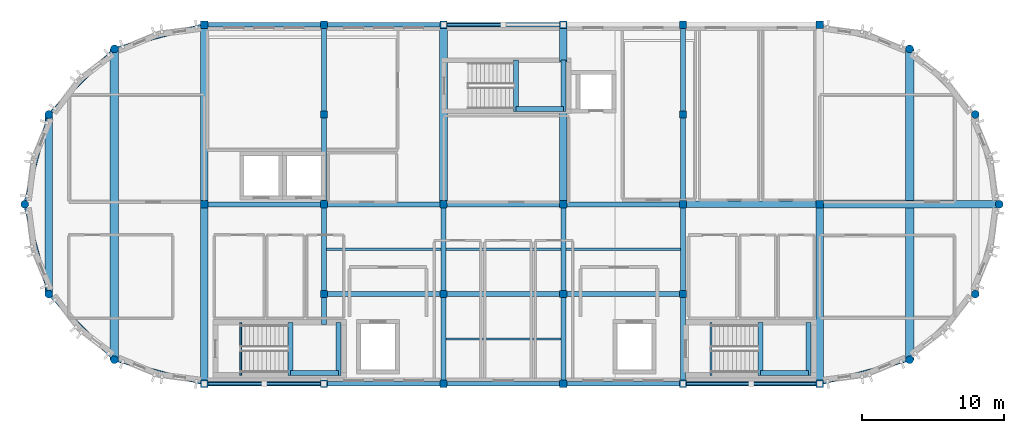
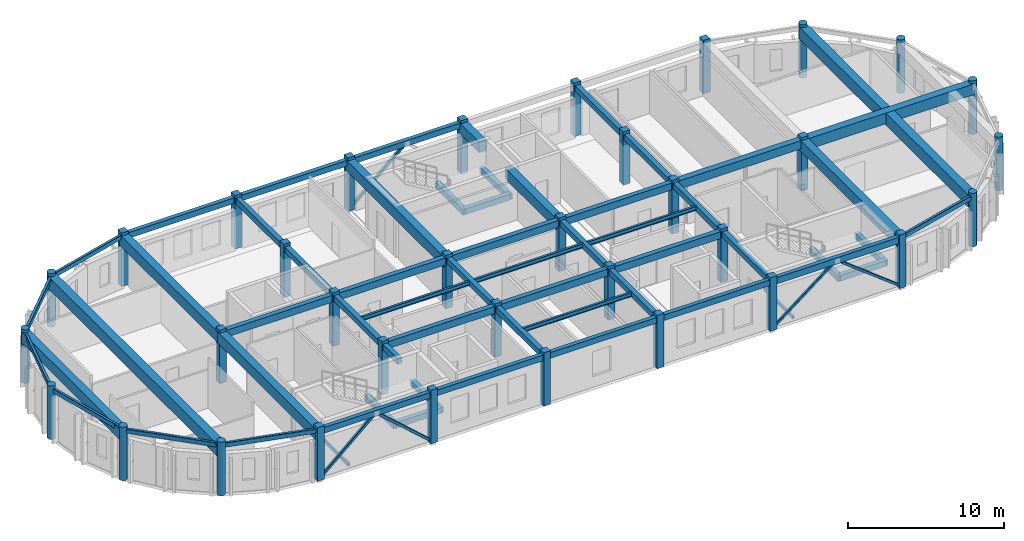
# One storey, part 1 of 11: 58 beams, 34 columns, 7 members.
"""IFC4 building model written with IfcOpenShell, lengths in metres."""

from ifc_helpers import new_model, si_unit, direction, frame, origin, origin_2d, place, context, subcontext, project, spatial, rectangle, hollow_rectangle, circle, i_section, extrude, material, material_profile, profile_set, type_object, element, save


model = new_model("IFC4")

# Units and contexts
model_context = context("Model", 3, precision=1e-05, world=origin(), true_north=direction((0.0, 1.0)))
body_context = subcontext(model_context, "Body", "Model", "MODEL_VIEW")
ifc_project = project(units=[si_unit("LENGTHUNIT", "METRE"), si_unit("AREAUNIT", "SQUARE_METRE"), si_unit("VOLUMEUNIT", "CUBIC_METRE"), si_unit("PLANEANGLEUNIT", "RADIAN"), si_unit("MASSUNIT", "GRAM", prefix="KILO")], contexts=[model_context])

# Site, building, storey
site_placement = place(None, origin())
site = spatial("IfcSite", under=ifc_project, at=site_placement, CompositionType="ELEMENT")
building_placement = place(site_placement, origin())
building = spatial("IfcBuilding", under=site, at=building_placement, Name="Tarnavel Promenade Courthouse", CompositionType="ELEMENT")
storey_placement = place(building_placement, frame((0.0, 0.0, 31.199951171875)))
storey = spatial("IfcBuildingStorey", under=building, at=storey_placement, Name="L08", CompositionType="ELEMENT", Elevation=31.199951171875)

# Columns
ifc_material_1 = material(Name="Concrete C40/50", Category="concrete")
ifc_material_profile_1 = material_profile(ifc_material_1, circle(Radius=0.27490234375, at=origin_2d()), Name="RCC D550")
ifc_profile_set_1 = profile_set([ifc_material_profile_1], Name="Concrete C40/50")
column_type_1 = type_object("IfcColumnType", Name="Concrete C40/50 COL-DRUM-D550 (RCC D550)", PredefinedType="COLUMN", material=ifc_profile_set_1)
for number, where, z_axis, x_axis, name in (
    (1, (52.5, 102.7119140625, 0.0), (0.0, 0.0, 1.0), (1.0, 0.0, 0.0), "L08 Structural Column 0237"),
    (2, (108.300048828125, 80.88818359375, 0.0), (0.0, 0.0, 1.0), (1.0, 0.0, 0.0), "L08 Structural Column 0247"),
    (3, (47.88818359375, 98.10009765625, 0.0), (0.0, 0.0, 1.0), (1.0, 0.0, 0.0), "L08 Structural Column 0257"),
    (4, (112.911865234375, 85.5, 0.0), (0.0, 0.0, 1.0), (1.0, 0.0, 0.0), "L08 Structural Column 0267"),
    (5, (46.199951171875, 91.800048828125, 0.0), (0.0, 0.0, 1.0), (1.0, 0.0, 0.0), "L08 Structural Column 0277"),
    (6, (114.60009765625, 91.800048828125, 0.0), (0.0, 0.0, 1.0), (1.0, 0.0, 0.0), "L08 Structural Column 0287"),
    (7, (47.88818359375, 85.5, 0.0), (0.0, 0.0, 1.0), (1.0, 0.0, 0.0), "L08 Structural Column 0297"),
    (8, (112.911865234375, 98.10009765625, 0.0), (0.0, 0.0, 1.0), (1.0, 0.0, 0.0), "L08 Structural Column 0307"),
    (9, (52.5, 80.88818359375, 0.0), (0.0, 0.0, 1.0), (1.0, 0.0, 0.0), "L08 Structural Column 0317"),
    (10, (108.300048828125, 102.7119140625, 0.0), (0.0, 0.0, 1.0), (1.0, 0.0, 0.0), "L08 Structural Column 0327"),
):
    element("IfcColumn", number, at=place(storey_placement, frame(where, z_axis=z_axis, x_axis=x_axis)), inside=storey, type_object=column_type_1, Name=name, PredefinedType="COLUMN", context=body_context, shape_type="SweptSolid", body=[
        extrude(circle(Radius=0.27490234375, at=origin_2d()), origin(), (0.0, 0.0, 1.0), 4.199951171875),
    ])
ifc_material_profile_2 = material_profile(ifc_material_1, rectangle(XDim=0.5, YDim=0.5, at=origin_2d()), Name="RC 500x500")
ifc_profile_set_2 = profile_set([ifc_material_profile_2], Name="Concrete C40/50")
column_type_2 = type_object("IfcColumnType", Name="Concrete C40/50 COL-RC500-TOP (RC 500x500)", PredefinedType="COLUMN", material=ifc_profile_set_2)
for number, where, z_axis, x_axis, name in (
    (11, (58.800048828125, 79.199951171875, 0.0), (0.0, 0.0, 1.0), (1.0, 0.0, 0.0), "L08 Structural Column 0009"),
    (12, (58.800048828125, 91.800048828125, 0.0), (0.0, 0.0, 1.0), (1.0, 0.0, 0.0), "L08 Structural Column 0019"),
    (13, (58.800048828125, 104.39990234375, 0.0), (0.0, 0.0, 1.0), (1.0, 0.0, 0.0), "L08 Structural Column 0029"),
    (14, (67.199951171875, 79.199951171875, 0.0), (0.0, 0.0, 1.0), (1.0, 0.0, 0.0), "L08 Structural Column 0043"),
    (15, (67.199951171875, 91.800048828125, 0.0), (0.0, 0.0, 1.0), (1.0, 0.0, 0.0), "L08 Structural Column 0053"),
    (16, (67.199951171875, 104.39990234375, 0.0), (0.0, 0.0, 1.0), (1.0, 0.0, 0.0), "L08 Structural Column 0063"),
    (17, (67.199951171875, 85.5, 0.0), (0.0, 0.0, 1.0), (1.0, 0.0, 0.0), "L08 Structural Column 0067"),
    (18, (67.199951171875, 98.10009765625, 0.0), (0.0, 0.0, 1.0), (1.0, 0.0, 0.0), "L08 Structural Column 0071"),
    (19, (75.60009765625, 79.199951171875, 0.0), (0.0, 0.0, 1.0), (1.0, 0.0, 0.0), "L08 Structural Column 0085"),
    (20, (75.60009765625, 91.800048828125, 0.0), (0.0, 0.0, 1.0), (1.0, 0.0, 0.0), "L08 Structural Column 0095"),
    (21, (75.60009765625, 104.39990234375, 0.0), (0.0, 0.0, 1.0), (1.0, 0.0, 0.0), "L08 Structural Column 0105"),
    (22, (75.60009765625, 85.5, 0.0), (0.0, 0.0, 1.0), (1.0, 0.0, 0.0), "L08 Structural Column 0109"),
    (23, (84.0, 79.199951171875, 0.0), (0.0, 0.0, 1.0), (1.0, 0.0, 0.0), "L08 Structural Column 0123"),
    (24, (84.0, 91.800048828125, 0.0), (0.0, 0.0, 1.0), (1.0, 0.0, 0.0), "L08 Structural Column 0133"),
    (25, (84.0, 104.39990234375, 0.0), (0.0, 0.0, 1.0), (1.0, 0.0, 0.0), "L08 Structural Column 0143"),
    (26, (84.0, 85.5, 0.0), (0.0, 0.0, 1.0), (1.0, 0.0, 0.0), "L08 Structural Column 0147"),
    (27, (92.39990234375, 79.199951171875, 0.0), (0.0, 0.0, 1.0), (1.0, 0.0, 0.0), "L08 Structural Column 0161"),
    (28, (92.39990234375, 91.800048828125, 0.0), (0.0, 0.0, 1.0), (1.0, 0.0, 0.0), "L08 Structural Column 0171"),
    (29, (92.39990234375, 104.39990234375, 0.0), (0.0, 0.0, 1.0), (1.0, 0.0, 0.0), "L08 Structural Column 0181"),
    (30, (92.39990234375, 85.5, 0.0), (0.0, 0.0, 1.0), (1.0, 0.0, 0.0), "L08 Structural Column 0185"),
    (31, (92.39990234375, 98.10009765625, 0.0), (0.0, 0.0, 1.0), (1.0, 0.0, 0.0), "L08 Structural Column 0189"),
    (32, (102.0, 79.199951171875, 0.0), (0.0, 0.0, 1.0), (1.0, 0.0, 0.0), "L08 Structural Column 0203"),
    (33, (102.0, 91.800048828125, 0.0), (0.0, 0.0, 1.0), (1.0, 0.0, 0.0), "L08 Structural Column 0213"),
    (34, (102.0, 104.39990234375, 0.0), (0.0, 0.0, 1.0), (1.0, 0.0, 0.0), "L08 Structural Column 0223"),
):
    element("IfcColumn", number, at=place(storey_placement, frame(where, z_axis=z_axis, x_axis=x_axis)), inside=storey, type_object=column_type_2, Name=name, PredefinedType="COLUMN", context=body_context, shape_type="SweptSolid", body=[
        extrude(rectangle(XDim=0.5, YDim=0.5, at=origin_2d()), origin(), (0.0, 0.0, 1.0), 4.199951171875),
    ])

# Beams
ifc_material_profile_3 = material_profile(ifc_material_1, rectangle(XDim=0.550048828125, YDim=0.85009765625, at=origin_2d()), Name="PT 550x850")
ifc_profile_set_3 = profile_set([ifc_material_profile_3], Name="Concrete C40/50")
beam_type_1 = type_object("IfcBeamType", Name="Concrete C40/50 BM-PT-550x850 (PT 550x850)", PredefinedType="T_BEAM", material=ifc_profile_set_3)
for number, where, z_axis, x_axis, name in (
    (35, (102.0, 91.800048828125, 3.550048828125), (1.0, 0.0, 0.0), (0.0, 1.0, 0.0), "L08 Primary Longitudinal Beam 2592"),
    (36, (47.88818359375, 85.5, 3.550048828125), (0.0, 1.0, 0.0), (-1.0, 0.0, 0.0), "L08 Transverse Girder 2598"),
    (37, (58.800048828125, 79.199951171875, 3.550048828125), (0.0, 1.0, 0.0), (-1.0, 0.0, 0.0), "L08 Transverse Girder 2600"),
):
    element("IfcBeam", number, at=place(storey_placement, frame(where, z_axis=z_axis, x_axis=x_axis)), inside=storey, type_object=beam_type_1, Name=name, PredefinedType="T_BEAM", context=body_context, shape_type="SweptSolid", body=[
        extrude(rectangle(XDim=0.550048828125, YDim=0.85009765625, at=origin_2d()), origin(), (0.0, 0.0, 1.0), 12.60009765625),
    ])
for number, where, z_axis, x_axis, name in (
    (38, (58.800048828125, 91.800048828125, 3.550048828125), (0.0, 1.0, 0.0), (-1.0, 0.0, 0.0), "L08 Transverse Girder 2601"),
    (39, (75.60009765625, 91.800048828125, 3.550048828125), (0.0, 1.0, 0.0), (-1.0, 0.0, 0.0), "L08 Transverse Girder 2608"),
):
    element("IfcBeam", number, at=place(storey_placement, frame(where, z_axis=z_axis, x_axis=x_axis)), inside=storey, type_object=beam_type_1, Name=name, PredefinedType="T_BEAM", context=body_context, shape_type="SweptSolid", body=[
        extrude(rectangle(XDim=0.550048828125, YDim=0.85009765625, at=origin_2d()), origin(), (0.0, 0.0, 1.0), 12.599853515625),
    ])
beam_1_placement = place(storey_placement, frame((84.0, 91.800048828125, 3.550048828125), z_axis=(0.0, 1.0, 0.0), x_axis=(-1.0, 0.0, 0.0)))
element("IfcBeam", 40, at=beam_1_placement, inside=storey, type_object=beam_type_1, Name="L08 Transverse Girder 2611", PredefinedType="T_BEAM", context=body_context, shape_type="SweptSolid", body=[
    extrude(rectangle(XDim=0.550048828125, YDim=0.85009765625, at=origin_2d()), origin(), (0.0, 0.0, 1.0), 6.64990234375),
])
beam_2_placement = place(storey_placement, frame((84.0, 101.7900390625, 3.550048828125), z_axis=(0.0, 1.0, 0.0), x_axis=(-1.0, 0.0, 0.0)))
element("IfcBeam", 41, at=beam_2_placement, inside=storey, type_object=beam_type_1, Name="L08 Transverse Girder 2612", PredefinedType="T_BEAM", context=body_context, shape_type="SweptSolid", body=[
    extrude(rectangle(XDim=0.550048828125, YDim=0.85009765625, at=origin_2d()), origin(), (0.0, 0.0, 1.0), 2.60986328125),
])
beam_3_placement = place(storey_placement, frame((102.0, 79.199951171875, 3.550048828125), z_axis=(0.0, 1.0, 0.0), x_axis=(-1.0, 0.0, 0.0)))
element("IfcBeam", 42, at=beam_3_placement, inside=storey, type_object=beam_type_1, Name="L08 Transverse Girder 2617", PredefinedType="T_BEAM", context=body_context, shape_type="SweptSolid", body=[
    extrude(rectangle(XDim=0.550048828125, YDim=0.85009765625, at=origin_2d()), origin(), (0.0, 0.0, 1.0), 12.60009765625),
])
ifc_material_profile_4 = material_profile(ifc_material_1, rectangle(XDim=0.60009765625, YDim=0.949951171875, at=origin_2d()), Name="PT 600x950")
ifc_profile_set_4 = profile_set([ifc_material_profile_4], Name="Concrete C40/50")
beam_type_2 = type_object("IfcBeamType", Name="Concrete C40/50 BM-PT-600x950 (PT 600x950)", PredefinedType="T_BEAM", material=ifc_profile_set_4)
for number, where, z_axis, x_axis, name in (
    (43, (52.5, 80.88818359375, 3.5), (0.0, 1.0, 0.0), (-1.0, 0.0, 0.0), "L08 Transverse Girder 2599"),
    (44, (108.300048828125, 80.88818359375, 3.5), (0.0, 1.0, 0.0), (-1.0, 0.0, 0.0), "L08 Transverse Girder 2619"),
):
    element("IfcBeam", number, at=place(storey_placement, frame(where, z_axis=z_axis, x_axis=x_axis)), inside=storey, type_object=beam_type_2, Name=name, PredefinedType="T_BEAM", context=body_context, shape_type="SweptSolid", body=[
        extrude(rectangle(XDim=0.60009765625, YDim=0.949951171875, at=origin_2d()), origin(), (0.0, 0.0, 1.0), 21.82373046875),
    ])
ifc_material_profile_5 = material_profile(ifc_material_1, rectangle(XDim=0.35009765625, YDim=0.449951171875, at=origin_2d()), Name="RC 350x450")
ifc_profile_set_5 = profile_set([ifc_material_profile_5], Name="Concrete C40/50")
beam_type_3 = type_object("IfcBeamType", Name="Concrete C40/50 BM-RC-350x450 (RC 350x450)", PredefinedType="BEAM", material=ifc_profile_set_5)
beam_4_placement = place(storey_placement, frame((67.199951171875, 83.3701171875, 3.75), z_axis=(0.0, 1.0, 0.0), x_axis=(-1.0, 0.0, 0.0)))
element("IfcBeam", 45, at=beam_4_placement, inside=storey, type_object=beam_type_3, Name="L08 Transverse Girder 2602", PredefinedType="BEAM", context=body_context, shape_type="SweptSolid", body=[
    extrude(rectangle(XDim=0.35009765625, YDim=0.449951171875, at=origin_2d()), origin(), (0.0, 0.0, 1.0), 2.1298828125),
])
for number, where, z_axis, x_axis, name in (
    (46, (67.199951171875, 85.5, 3.75), (0.0, 1.0, 0.0), (-1.0, 0.0, 0.0), "L08 Transverse Girder 2603"),
    (47, (67.199951171875, 91.800048828125, 3.75), (0.0, 1.0, 0.0), (-1.0, 0.0, 0.0), "L08 Transverse Girder 2604"),
):
    element("IfcBeam", number, at=place(storey_placement, frame(where, z_axis=z_axis, x_axis=x_axis)), inside=storey, type_object=beam_type_3, Name=name, PredefinedType="BEAM", context=body_context, shape_type="SweptSolid", body=[
        extrude(rectangle(XDim=0.35009765625, YDim=0.449951171875, at=origin_2d()), origin(), (0.0, 0.0, 1.0), 6.300048828125),
    ])
beam_5_placement = place(storey_placement, frame((67.199951171875, 98.10009765625, 3.75), z_axis=(0.0, 1.0, 0.0), x_axis=(-1.0, 0.0, 0.0)))
element("IfcBeam", 48, at=beam_5_placement, inside=storey, type_object=beam_type_3, Name="L08 Transverse Girder 2605", PredefinedType="BEAM", context=body_context, shape_type="SweptSolid", body=[
    extrude(rectangle(XDim=0.35009765625, YDim=0.449951171875, at=origin_2d()), origin(), (0.0, 0.0, 1.0), 6.2998046875),
])
for number, where, z_axis, x_axis, name in (
    (49, (75.60009765625, 79.199951171875, 3.75), (0.0, 1.0, 0.0), (-1.0, 0.0, 0.0), "L08 Transverse Girder 2606"),
    (50, (75.60009765625, 85.5, 3.75), (0.0, 1.0, 0.0), (-1.0, 0.0, 0.0), "L08 Transverse Girder 2607"),
    (51, (84.0, 79.199951171875, 3.75), (0.0, 1.0, 0.0), (-1.0, 0.0, 0.0), "L08 Transverse Girder 2609"),
    (52, (84.0, 85.5, 3.75), (0.0, 1.0, 0.0), (-1.0, 0.0, 0.0), "L08 Transverse Girder 2610"),
    (53, (92.39990234375, 79.199951171875, 3.75), (0.0, 1.0, 0.0), (-1.0, 0.0, 0.0), "L08 Transverse Girder 2613"),
    (54, (92.39990234375, 85.5, 3.75), (0.0, 1.0, 0.0), (-1.0, 0.0, 0.0), "L08 Transverse Girder 2614"),
    (55, (92.39990234375, 91.800048828125, 3.75), (0.0, 1.0, 0.0), (-1.0, 0.0, 0.0), "L08 Transverse Girder 2615"),
):
    element("IfcBeam", number, at=place(storey_placement, frame(where, z_axis=z_axis, x_axis=x_axis)), inside=storey, type_object=beam_type_3, Name=name, PredefinedType="BEAM", context=body_context, shape_type="SweptSolid", body=[
        extrude(rectangle(XDim=0.35009765625, YDim=0.449951171875, at=origin_2d()), origin(), (0.0, 0.0, 1.0), 6.300048828125),
    ])
beam_6_placement = place(storey_placement, frame((92.39990234375, 98.10009765625, 3.75), z_axis=(0.0, 1.0, 0.0), x_axis=(-1.0, 0.0, 0.0)))
element("IfcBeam", 56, at=beam_6_placement, inside=storey, type_object=beam_type_3, Name="L08 Transverse Girder 2616", PredefinedType="BEAM", context=body_context, shape_type="SweptSolid", body=[
    extrude(rectangle(XDim=0.35009765625, YDim=0.449951171875, at=origin_2d()), origin(), (0.0, 0.0, 1.0), 6.2998046875),
])
for number, where, z_axis, x_axis, name in (
    (57, (64.840087890625, 79.800048828125, 1.670166015625), (0.0, 1.0, 0.0), (-1.0, 0.0, 0.0), "L08 ST-01 Mid-Landing Support Beam Near"),
    (58, (68.219970703125, 79.800048828125, 1.670166015625), (0.0, 1.0, 0.0), (-1.0, 0.0, 0.0), "L08 ST-01 Mid-Landing Support Beam Far"),
):
    element("IfcBeam", number, at=place(storey_placement, frame(where, z_axis=z_axis, x_axis=x_axis)), inside=storey, type_object=beam_type_3, Name=name, PredefinedType="BEAM", context=body_context, shape_type="SweptSolid", body=[
        extrude(rectangle(XDim=0.35009765625, YDim=0.449951171875, at=origin_2d()), origin(), (0.0, 0.0, 1.0), 3.719970703125),
    ])
beam_7_placement = place(storey_placement, frame((64.840087890625, 79.949951171875, 1.670166015625), z_axis=(1.0, 0.0, 0.0), x_axis=(0.0, 1.0, 0.0)))
element("IfcBeam", 59, at=beam_7_placement, inside=storey, type_object=beam_type_3, Name="L08 ST-01 Mid-Landing Edge Trimmer", PredefinedType="BEAM", context=body_context, shape_type="SweptSolid", body=[
    extrude(rectangle(XDim=0.35009765625, YDim=0.449951171875, at=origin_2d()), origin(), (0.0, 0.0, 1.0), 3.3798828125),
])
for number, where, z_axis, x_axis, name in (
    (60, (97.840087890625, 79.800048828125, 1.670166015625), (0.0, 1.0, 0.0), (-1.0, 0.0, 0.0), "L08 ST-02 Mid-Landing Support Beam Near"),
    (61, (101.219970703125, 79.800048828125, 1.670166015625), (0.0, 1.0, 0.0), (-1.0, 0.0, 0.0), "L08 ST-02 Mid-Landing Support Beam Far"),
):
    element("IfcBeam", number, at=place(storey_placement, frame(where, z_axis=z_axis, x_axis=x_axis)), inside=storey, type_object=beam_type_3, Name=name, PredefinedType="BEAM", context=body_context, shape_type="SweptSolid", body=[
        extrude(rectangle(XDim=0.35009765625, YDim=0.449951171875, at=origin_2d()), origin(), (0.0, 0.0, 1.0), 3.719970703125),
    ])
beam_8_placement = place(storey_placement, frame((97.840087890625, 79.949951171875, 1.670166015625), z_axis=(1.0, 0.0, 0.0), x_axis=(0.0, 1.0, 0.0)))
element("IfcBeam", 62, at=beam_8_placement, inside=storey, type_object=beam_type_3, Name="L08 ST-02 Mid-Landing Edge Trimmer", PredefinedType="BEAM", context=body_context, shape_type="SweptSolid", body=[
    extrude(rectangle(XDim=0.35009765625, YDim=0.449951171875, at=origin_2d()), origin(), (0.0, 0.0, 1.0), 3.3798828125),
])
for number, where, z_axis, x_axis, name in (
    (63, (80.68994140625, 98.320068359375, 1.670166015625), (0.0, 1.0, 0.0), (-1.0, 0.0, 0.0), "L08 ST-03 Mid-Landing Support Beam Near"),
    (64, (84.02001953125, 98.320068359375, 1.670166015625), (0.0, 1.0, 0.0), (-1.0, 0.0, 0.0), "L08 ST-03 Mid-Landing Support Beam Far"),
):
    element("IfcBeam", number, at=place(storey_placement, frame(where, z_axis=z_axis, x_axis=x_axis)), inside=storey, type_object=beam_type_3, Name=name, PredefinedType="BEAM", context=body_context, shape_type="SweptSolid", body=[
        extrude(rectangle(XDim=0.35009765625, YDim=0.449951171875, at=origin_2d()), origin(), (0.0, 0.0, 1.0), 3.599853515625),
    ])
beam_9_placement = place(storey_placement, frame((80.68994140625, 98.469970703125, 1.670166015625), z_axis=(1.0, 0.0, 0.0), x_axis=(0.0, 1.0, 0.0)))
element("IfcBeam", 65, at=beam_9_placement, inside=storey, type_object=beam_type_3, Name="L08 ST-03 Mid-Landing Edge Trimmer", PredefinedType="BEAM", context=body_context, shape_type="SweptSolid", body=[
    extrude(rectangle(XDim=0.35009765625, YDim=0.449951171875, at=origin_2d()), origin(), (0.0, 0.0, 1.0), 3.330078125),
])
ifc_material_profile_6 = material_profile(ifc_material_1, rectangle(XDim=0.35009765625, YDim=0.550048828125, at=origin_2d()), Name="RC 350x550")
ifc_profile_set_6 = profile_set([ifc_material_profile_6], Name="Concrete C40/50")
beam_type_4 = type_object("IfcBeamType", Name="Concrete C40/50 BM-RC-350x550 (RC 350x550)", PredefinedType="BEAM", material=ifc_profile_set_6)
beam_10_placement = place(storey_placement, frame((67.199951171875, 85.5, 3.699951171875), z_axis=(1.0, 0.0, 0.0), x_axis=(0.0, 1.0, 0.0)))
element("IfcBeam", 66, at=beam_10_placement, inside=storey, type_object=beam_type_4, Name="L08 Primary Longitudinal Beam 2584", PredefinedType="BEAM", context=body_context, shape_type="SweptSolid", body=[
    extrude(rectangle(XDim=0.35009765625, YDim=0.550048828125, at=origin_2d()), origin(), (0.0, 0.0, 1.0), 8.400146484375),
])
for number, where, z_axis, x_axis, name in (
    (67, (75.60009765625, 85.5, 3.699951171875), (1.0, 0.0, 0.0), (0.0, 1.0, 0.0), "L08 Primary Longitudinal Beam 2585"),
    (68, (84.0, 85.5, 3.699951171875), (1.0, 0.0, 0.0), (0.0, 1.0, 0.0), "L08 Primary Longitudinal Beam 2586"),
    (69, (58.800048828125, 91.800048828125, 3.699951171875), (1.0, 0.0, 0.0), (0.0, 1.0, 0.0), "L08 Primary Longitudinal Beam 2587"),
):
    element("IfcBeam", number, at=place(storey_placement, frame(where, z_axis=z_axis, x_axis=x_axis)), inside=storey, type_object=beam_type_4, Name=name, PredefinedType="BEAM", context=body_context, shape_type="SweptSolid", body=[
        extrude(rectangle(XDim=0.35009765625, YDim=0.550048828125, at=origin_2d()), origin(), (0.0, 0.0, 1.0), 8.39990234375),
    ])
beam_11_placement = place(storey_placement, frame((67.199951171875, 91.800048828125, 3.699951171875), z_axis=(1.0, 0.0, 0.0), x_axis=(0.0, 1.0, 0.0)))
element("IfcBeam", 70, at=beam_11_placement, inside=storey, type_object=beam_type_4, Name="L08 Primary Longitudinal Beam 2588", PredefinedType="BEAM", context=body_context, shape_type="SweptSolid", body=[
    extrude(rectangle(XDim=0.35009765625, YDim=0.550048828125, at=origin_2d()), origin(), (0.0, 0.0, 1.0), 8.400146484375),
])
for number, where, z_axis, x_axis, name in (
    (71, (75.60009765625, 91.800048828125, 3.699951171875), (1.0, 0.0, 0.0), (0.0, 1.0, 0.0), "L08 Primary Longitudinal Beam 2589"),
    (72, (84.0, 91.800048828125, 3.699951171875), (1.0, 0.0, 0.0), (0.0, 1.0, 0.0), "L08 Primary Longitudinal Beam 2590"),
):
    element("IfcBeam", number, at=place(storey_placement, frame(where, z_axis=z_axis, x_axis=x_axis)), inside=storey, type_object=beam_type_4, Name=name, PredefinedType="BEAM", context=body_context, shape_type="SweptSolid", body=[
        extrude(rectangle(XDim=0.35009765625, YDim=0.550048828125, at=origin_2d()), origin(), (0.0, 0.0, 1.0), 8.39990234375),
    ])
ifc_material_profile_7 = material_profile(ifc_material_1, rectangle(XDim=0.449951171875, YDim=0.64990234375, at=origin_2d()), Name="RC 450x650")
ifc_profile_set_7 = profile_set([ifc_material_profile_7], Name="Concrete C40/50")
beam_type_5 = type_object("IfcBeamType", Name="Concrete C40/50 BM-RC-450x650 (RC 450x650)", PredefinedType="T_BEAM", material=ifc_profile_set_7)
beam_12_placement = place(storey_placement, frame((92.39990234375, 91.800048828125, 3.650146484375), z_axis=(1.0, 0.0, 0.0), x_axis=(0.0, 1.0, 0.0)))
element("IfcBeam", 73, at=beam_12_placement, inside=storey, type_object=beam_type_5, Name="L08 Primary Longitudinal Beam 2591", PredefinedType="T_BEAM", context=body_context, shape_type="SweptSolid", body=[
    extrude(rectangle(XDim=0.449951171875, YDim=0.64990234375, at=origin_2d()), origin(), (0.0, 0.0, 1.0), 9.60009765625),
])
ifc_material_profile_8 = material_profile(ifc_material_1, rectangle(XDim=0.300048828125, YDim=0.449951171875, at=origin_2d()), Name="RC 300x450")
ifc_profile_set_8 = profile_set([ifc_material_profile_8], Name="Concrete C40/50")
beam_type_6 = type_object("IfcBeamType", Name="Concrete C40/50 BM-SP-300x450 (RC 300x450)", PredefinedType="SPANDREL", material=ifc_profile_set_8)
beam_13_placement = place(storey_placement, frame((58.800048828125, 79.199951171875, 3.75), z_axis=(1.0, 0.0, 0.0), x_axis=(0.0, 1.0, 0.0)))
element("IfcBeam", 74, at=beam_13_placement, inside=storey, type_object=beam_type_6, Name="L08 Primary Longitudinal Beam 2579", PredefinedType="SPANDREL", context=body_context, shape_type="SweptSolid", body=[
    extrude(rectangle(XDim=0.300048828125, YDim=0.449951171875, at=origin_2d()), origin(), (0.0, 0.0, 1.0), 8.39990234375),
])
beam_14_placement = place(storey_placement, frame((67.199951171875, 79.199951171875, 3.75), z_axis=(1.0, 0.0, 0.0), x_axis=(0.0, 1.0, 0.0)))
element("IfcBeam", 75, at=beam_14_placement, inside=storey, type_object=beam_type_6, Name="L08 Primary Longitudinal Beam 2580", PredefinedType="SPANDREL", context=body_context, shape_type="SweptSolid", body=[
    extrude(rectangle(XDim=0.300048828125, YDim=0.449951171875, at=origin_2d()), origin(), (0.0, 0.0, 1.0), 8.400146484375),
])
for number, where, z_axis, x_axis, name in (
    (76, (75.60009765625, 79.199951171875, 3.75), (1.0, 0.0, 0.0), (0.0, 1.0, 0.0), "L08 Primary Longitudinal Beam 2581"),
    (77, (84.0, 79.199951171875, 3.75), (1.0, 0.0, 0.0), (0.0, 1.0, 0.0), "L08 Primary Longitudinal Beam 2582"),
    (78, (58.800048828125, 104.39990234375, 3.75), (1.0, 0.0, 0.0), (0.0, 1.0, 0.0), "L08 Primary Longitudinal Beam 2593"),
):
    element("IfcBeam", number, at=place(storey_placement, frame(where, z_axis=z_axis, x_axis=x_axis)), inside=storey, type_object=beam_type_6, Name=name, PredefinedType="SPANDREL", context=body_context, shape_type="SweptSolid", body=[
        extrude(rectangle(XDim=0.300048828125, YDim=0.449951171875, at=origin_2d()), origin(), (0.0, 0.0, 1.0), 8.39990234375),
    ])
beam_15_placement = place(storey_placement, frame((67.199951171875, 104.39990234375, 3.75), z_axis=(1.0, 0.0, 0.0), x_axis=(0.0, 1.0, 0.0)))
element("IfcBeam", 79, at=beam_15_placement, inside=storey, type_object=beam_type_6, Name="L08 Primary Longitudinal Beam 2594", PredefinedType="SPANDREL", context=body_context, shape_type="SweptSolid", body=[
    extrude(rectangle(XDim=0.300048828125, YDim=0.449951171875, at=origin_2d()), origin(), (0.0, 0.0, 1.0), 8.400146484375),
])
beam_16_placement = place(storey_placement, frame((75.60009765625, 104.39990234375, 3.75), z_axis=(1.0, 0.0, 0.0), x_axis=(0.0, 1.0, 0.0)))
element("IfcBeam", 80, at=beam_16_placement, inside=storey, type_object=beam_type_6, Name="L08 Primary Longitudinal Beam 2595", PredefinedType="SPANDREL", context=body_context, shape_type="SweptSolid", body=[
    extrude(rectangle(XDim=0.300048828125, YDim=0.449951171875, at=origin_2d()), origin(), (0.0, 0.0, 1.0), 8.39990234375),
])
ifc_material_profile_9 = material_profile(ifc_material_1, rectangle(XDim=0.300048828125, YDim=0.5, at=origin_2d()), Name="RC 300x500")
ifc_profile_set_9 = profile_set([ifc_material_profile_9], Name="Concrete C40/50")
beam_type_7 = type_object("IfcBeamType", Name="Concrete C40/50 BM-SP-300x500 (RC 300x500)", PredefinedType="SPANDREL", material=ifc_profile_set_9)
beam_17_placement = place(storey_placement, frame((92.39990234375, 79.199951171875, 3.72509765625), z_axis=(1.0, 0.0, 0.0), x_axis=(0.0, 1.0, 0.0)))
element("IfcBeam", 81, at=beam_17_placement, inside=storey, type_object=beam_type_7, Name="L08 Primary Longitudinal Beam 2583", PredefinedType="SPANDREL", context=body_context, shape_type="SweptSolid", body=[
    extrude(rectangle(XDim=0.300048828125, YDim=0.5, at=origin_2d()), origin(), (0.0, 0.0, 1.0), 9.60009765625),
])
ifc_material_2 = material(Name="Steel S355J2", Category="steel")
ifc_material_profile_10 = material_profile(ifc_material_2, i_section(OverallWidth=0.159912109375, OverallDepth=0.330078125, WebThickness=0.007568359375, FlangeThickness=0.011474609375, FilletRadius=0.01806640625, at=origin_2d()), Name="IPE 330")
ifc_profile_set_10 = profile_set([ifc_material_profile_10], Name="Steel S355J2")
beam_type_8 = type_object("IfcBeamType", Name="Steel S355J2 BM-ST-IPE330 (IPE 330)", PredefinedType="JOIST", material=ifc_profile_set_10)
beam_18_placement = place(storey_placement, frame((67.344970703125, 88.64990234375, 3.81005859375), z_axis=(1.0, 0.0, 0.0), x_axis=(0.0, 1.0, 0.0)))
element("IfcBeam", 82, at=beam_18_placement, inside=storey, type_object=beam_type_8, Name="L08 Secondary Floor Rib 2621", PredefinedType="JOIST", context=body_context, shape_type="SweptSolid", body=[
    extrude(i_section(OverallWidth=0.159912109375, OverallDepth=0.330078125, WebThickness=0.007568359375, FlangeThickness=0.011474609375, FilletRadius=0.01806640625, at=origin_2d()), origin(), (0.0, 0.0, 1.0), 8.110107421875),
])
for number, where, z_axis, x_axis, name in (
    (83, (75.7451171875, 88.64990234375, 3.81005859375), (1.0, 0.0, 0.0), (0.0, 1.0, 0.0), "L08 Secondary Floor Rib 2622"),
    (84, (84.14501953125, 88.64990234375, 3.81005859375), (1.0, 0.0, 0.0), (0.0, 1.0, 0.0), "L08 Secondary Floor Rib 2623"),
    (85, (75.7451171875, 82.35009765625, 3.81005859375), (1.0, 0.0, 0.0), (0.0, 1.0, 0.0), "L08 Secondary Floor Rib 2624"),
):
    element("IfcBeam", number, at=place(storey_placement, frame(where, z_axis=z_axis, x_axis=x_axis)), inside=storey, type_object=beam_type_8, Name=name, PredefinedType="JOIST", context=body_context, shape_type="SweptSolid", body=[
        extrude(i_section(OverallWidth=0.159912109375, OverallDepth=0.330078125, WebThickness=0.007568359375, FlangeThickness=0.011474609375, FilletRadius=0.01806640625, at=origin_2d()), origin(), (0.0, 0.0, 1.0), 8.10986328125),
    ])
ifc_material_profile_11 = material_profile(ifc_material_2, hollow_rectangle(XDim=0.199951171875, YDim=0.35009765625, WallThickness=0.012451171875, InnerFilletRadius=0.012451171875, OuterFilletRadius=0.02490234375, at=origin_2d()), Name="RHS 350x200x12.5")
ifc_profile_set_11 = profile_set([ifc_material_profile_11], Name="Steel S355J2")
beam_type_9 = type_object("IfcBeamType", Name="Steel S355J2 BM-ST-RHS350 (RHS 350x200x12.5)", PredefinedType="SPANDREL", material=ifc_profile_set_11)
beam_19_placement = place(storey_placement, frame((58.800048828125, 104.39990234375, 3.800048828125), z_axis=(-0.965929839907, -0.258804065612, 0.0), x_axis=(0.258804065612, -0.965929839907, 0.0)))
element("IfcBeam", 86, at=beam_19_placement, inside=storey, type_object=beam_type_9, Name="L08 Drum Ring Spandrel 2625", PredefinedType="SPANDREL", context=body_context, shape_type="SweptSolid", body=[
    extrude(hollow_rectangle(XDim=0.199951171875, YDim=0.35009765625, WallThickness=0.012451171875, InnerFilletRadius=0.012451171875, OuterFilletRadius=0.02490234375, at=origin_2d()), origin(), (0.0, 0.0, 1.0), 6.522216796875),
])
beam_20_placement = place(storey_placement, frame((52.5, 102.7119140625, 3.800048828125), z_axis=(-0.707106781187, -0.707106781187, 0.0), x_axis=(0.707106781187, -0.707106781187, 0.0)))
element("IfcBeam", 87, at=beam_20_placement, inside=storey, type_object=beam_type_9, Name="L08 Drum Ring Spandrel 2626", PredefinedType="SPANDREL", context=body_context, shape_type="SweptSolid", body=[
    extrude(hollow_rectangle(XDim=0.199951171875, YDim=0.35009765625, WallThickness=0.012451171875, InnerFilletRadius=0.012451171875, OuterFilletRadius=0.02490234375, at=origin_2d()), origin(), (0.0, 0.0, 1.0), 6.52197265625),
])
for number, where, z_axis, x_axis, name in (
    (88, (47.88818359375, 98.10009765625, 3.800048828125), (-0.258838989821, -0.965920481897, 0.0), (0.965920481897, -0.258838989821, 0.0), "L08 Drum Ring Spandrel 2627"),
    (89, (46.199951171875, 91.800048828125, 3.800048828125), (0.258838989821, -0.965920481897, 0.0), (0.965920481897, 0.258838989821, 0.0), "L08 Drum Ring Spandrel 2628"),
):
    element("IfcBeam", number, at=place(storey_placement, frame(where, z_axis=z_axis, x_axis=x_axis)), inside=storey, type_object=beam_type_9, Name=name, PredefinedType="SPANDREL", context=body_context, shape_type="SweptSolid", body=[
        extrude(hollow_rectangle(XDim=0.199951171875, YDim=0.35009765625, WallThickness=0.012451171875, InnerFilletRadius=0.012451171875, OuterFilletRadius=0.02490234375, at=origin_2d()), origin(), (0.0, 0.0, 1.0), 6.522216796875),
    ])
beam_21_placement = place(storey_placement, frame((47.88818359375, 85.5, 3.800048828125), z_axis=(0.707106781187, -0.707106781187, 0.0), x_axis=(0.707106781187, 0.707106781187, 0.0)))
element("IfcBeam", 90, at=beam_21_placement, inside=storey, type_object=beam_type_9, Name="L08 Drum Ring Spandrel 2629", PredefinedType="SPANDREL", context=body_context, shape_type="SweptSolid", body=[
    extrude(hollow_rectangle(XDim=0.199951171875, YDim=0.35009765625, WallThickness=0.012451171875, InnerFilletRadius=0.012451171875, OuterFilletRadius=0.02490234375, at=origin_2d()), origin(), (0.0, 0.0, 1.0), 6.52197265625),
])
for number, where, z_axis, x_axis, name in (
    (91, (52.5, 80.88818359375, 3.800048828125), (0.965920481897, -0.258838989821, 0.0), (0.258838989821, 0.965920481897, 0.0), "L08 Drum Ring Spandrel 2630"),
    (92, (102.0, 79.199951171875, 3.800048828125), (0.965920481897, 0.258838989821, 0.0), (-0.258838989821, 0.965920481897, 0.0), "L08 Drum Ring Spandrel 2631"),
):
    element("IfcBeam", number, at=place(storey_placement, frame(where, z_axis=z_axis, x_axis=x_axis)), inside=storey, type_object=beam_type_9, Name=name, PredefinedType="SPANDREL", context=body_context, shape_type="SweptSolid", body=[
        extrude(hollow_rectangle(XDim=0.199951171875, YDim=0.35009765625, WallThickness=0.012451171875, InnerFilletRadius=0.012451171875, OuterFilletRadius=0.02490234375, at=origin_2d()), origin(), (0.0, 0.0, 1.0), 6.522216796875),
    ])

# Members
ifc_material_profile_12 = material_profile(ifc_material_2, hollow_rectangle(XDim=0.179931640625, YDim=0.179931640625, WallThickness=0.010009765625, InnerFilletRadius=0.010009765625, OuterFilletRadius=0.02001953125, at=origin_2d()), Name="SHS 180x180x10")
ifc_profile_set_12 = profile_set([ifc_material_profile_12], Name="Steel S355J2")
member_type_1 = type_object("IfcMemberType", Name="Steel S355J2 MEM-BR-SHS180 (SHS 180x180x10)", PredefinedType="BRACE", material=ifc_profile_set_12)
for number, where, z_axis, x_axis, name in (
    (93, (92.39990234375, 79.199951171875, 0.0), (0.790011667924, 0.0, 0.613091807598), (0.0, 1.0, 0.0), "L08 V5 Chevron Brace A 019"),
    (94, (102.0, 79.199951171875, 0.0), (-0.790011667924, 0.0, 0.613091807598), (0.0, -1.0, 0.0), "L08 V5 Chevron Brace B 019"),
):
    element("IfcMember", number, at=place(storey_placement, frame(where, z_axis=z_axis, x_axis=x_axis)), inside=storey, type_object=member_type_1, Name=name, PredefinedType="BRACE", context=body_context, shape_type="SweptSolid", body=[
        extrude(hollow_rectangle(XDim=0.179931640625, YDim=0.179931640625, WallThickness=0.010009765625, InnerFilletRadius=0.010009765625, OuterFilletRadius=0.02001953125, at=origin_2d()), origin(), (0.0, 0.0, 1.0), 6.075927734375),
    ])
ifc_material_profile_13 = material_profile(ifc_material_2, hollow_rectangle(XDim=0.199951171875, YDim=0.199951171875, WallThickness=0.012451171875, InnerFilletRadius=0.012451171875, OuterFilletRadius=0.02490234375, at=origin_2d()), Name="SHS 200x200x12.5")
ifc_profile_set_13 = profile_set([ifc_material_profile_13], Name="Steel S355J2")
member_type_2 = type_object("IfcMemberType", Name="Steel S355J2 MEM-BR-SHS200 (SHS 200x200x12.5)", PredefinedType="BRACE", material=ifc_profile_set_13)
for number, where, z_axis, x_axis, name in (
    (95, (58.800048828125, 79.199951171875, 0.0), (0.748133483308, 0.0, 0.663548258345), (0.0, 1.0, 0.0), "L08 V5 Chevron Brace A 009"),
    (96, (67.199951171875, 79.199951171875, 0.0), (-0.748133483308, 0.0, 0.663548258345), (0.0, -1.0, 0.0), "L08 V5 Chevron Brace B 009"),
    (97, (75.60009765625, 104.39990234375, 0.0), (0.748133483308, 0.0, 0.663548258345), (0.0, 1.0, 0.0), "L08 V5 Chevron Brace A 026"),
):
    element("IfcMember", number, at=place(storey_placement, frame(where, z_axis=z_axis, x_axis=x_axis)), inside=storey, type_object=member_type_2, Name=name, PredefinedType="BRACE", context=body_context, shape_type="SweptSolid", body=[
        extrude(hollow_rectangle(XDim=0.199951171875, YDim=0.199951171875, WallThickness=0.012451171875, InnerFilletRadius=0.012451171875, OuterFilletRadius=0.02490234375, at=origin_2d()), origin(), (0.0, 0.0, 1.0), 5.614013671875),
    ])
ifc_material_profile_14 = material_profile(ifc_material_2, hollow_rectangle(XDim=0.14990234375, YDim=0.25, WallThickness=0.010009765625, InnerFilletRadius=0.010009765625, OuterFilletRadius=0.02001953125, at=origin_2d()), Name="RHS 250x150x10")
ifc_profile_set_14 = profile_set([ifc_material_profile_14], Name="Steel S355J2")
member_type_3 = type_object("IfcMemberType", Name="Steel S355J2 Stair Stringer MEM-STR-250 (RHS 250x150x10)", PredefinedType="STRINGER", material=ifc_profile_set_14)
for number, where, z_axis, x_axis, name in (
    (98, (61.360107421875, 79.800048828125, -0.179931640625), (0.0, 1.0, 0.0), (-1.0, 0.0, 0.0), "L08 ST-01 Stair Header Stringer"),
    (99, (94.360107421875, 79.800048828125, -0.179931640625), (0.0, 1.0, 0.0), (-1.0, 0.0, 0.0), "L08 ST-02 Stair Header Stringer"),
):
    element("IfcMember", number, at=place(storey_placement, frame(where, z_axis=z_axis, x_axis=x_axis)), inside=storey, type_object=member_type_3, Name=name, PredefinedType="STRINGER", context=body_context, shape_type="SweptSolid", body=[
        extrude(hollow_rectangle(XDim=0.14990234375, YDim=0.25, WallThickness=0.010009765625, InnerFilletRadius=0.010009765625, OuterFilletRadius=0.02001953125, at=origin_2d()), origin(), (0.0, 0.0, 1.0), 3.719970703125),
    ])

save(model, "model.ifc")
